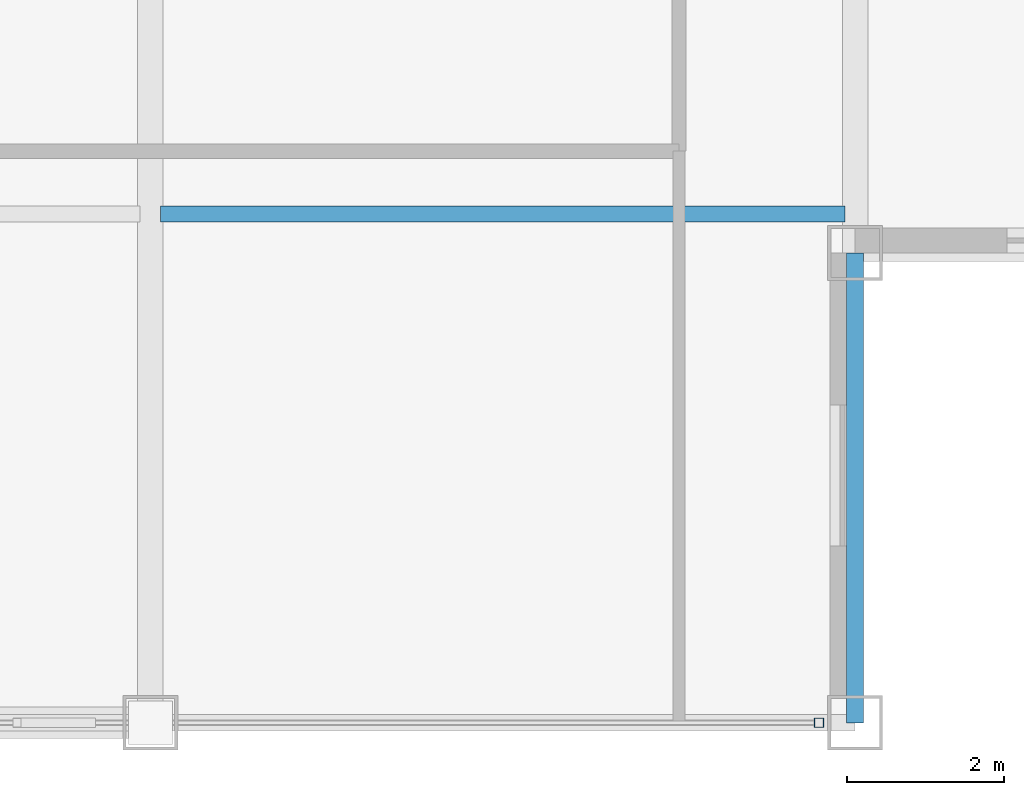
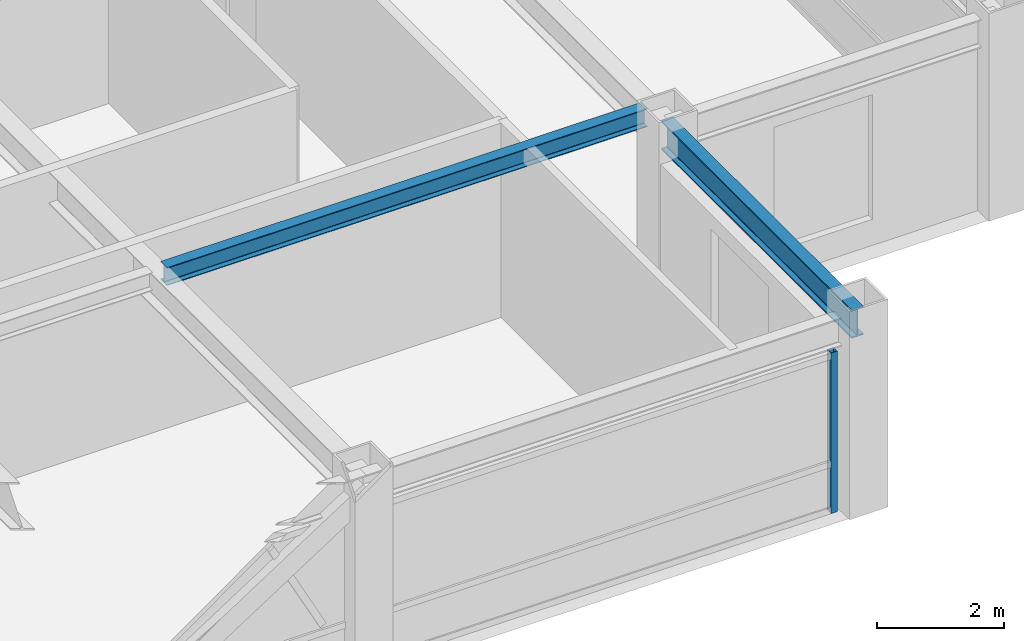
# One storey, part 8 of 29: 2 beams, 1 member, 1 element without a shape of its own.
"""IFC4 building model written with IfcOpenShell, lengths in metres."""

from ifc_helpers import new_model, si_unit, direction, frame, origin, origin_2d, place, context, subcontext, project, spatial, hollow_rectangle, i_section, extrude, source, transform, mapped, material, material_profile, profile_set, type_object, element, aggregate, save


model = new_model("IFC4")

# Units and contexts
model_context = context("Model", 3, precision=1e-05, world=origin(), true_north=direction((0.0, 1.0)))
body_context = subcontext(model_context, "Body", "Model", "MODEL_VIEW")
ifc_project = project(units=[si_unit("LENGTHUNIT", "METRE"), si_unit("AREAUNIT", "SQUARE_METRE"), si_unit("VOLUMEUNIT", "CUBIC_METRE"), si_unit("PLANEANGLEUNIT", "RADIAN"), si_unit("MASSUNIT", "GRAM", prefix="KILO")], contexts=[model_context])

# Site, building, storey
site_placement = place(None, origin())
site = spatial("IfcSite", under=ifc_project, at=site_placement, CompositionType="ELEMENT")
building_placement = place(site_placement, origin())
building = spatial("IfcBuilding", under=site, at=building_placement, Name="Khorayat Bourse Tower", CompositionType="ELEMENT")
storey_placement = place(building_placement, frame((0.0, 0.0, 362.300048828125)))
storey = spatial("IfcBuildingStorey", under=building, at=storey_placement, Name="L86", CompositionType="ELEMENT", Elevation=362.300048828125)

# Beams
ifc_material_1 = material(Name="Steel ASTM A992 Grade 50", Category="steel")
ifc_material_profile_1 = material_profile(ifc_material_1, i_section(OverallWidth=0.214111328125, OverallDepth=0.549072265625, WebThickness=0.0146484375, FlangeThickness=0.023681640625, FilletRadius=0.013916015625, at=origin_2d()), Name="W530X138")
ifc_profile_set_1 = profile_set([ifc_material_profile_1], Name="Steel ASTM A992 Grade 50")
beam_type_1 = type_object("IfcBeamType", Name="BM-SPAN-530", PredefinedType="SPANDREL", material=ifc_profile_set_1)
shared_shape_1 = source(origin(), body_context, "Body", "SweptSolid", [
    extrude(i_section(OverallWidth=0.214111328125, OverallDepth=0.549072265625, WebThickness=0.0146484375, FlangeThickness=0.023681640625, FilletRadius=0.013916015625, at=origin_2d()), origin(), (0.0, 0.0, 1.0), 6.0),
])
beam_1_placement = place(storey_placement, frame((20.0, -26.0, 3.46533203125), z_axis=(0.0, 1.0, 0.0), x_axis=(-1.0, 0.0, 0.0)))
element("IfcBeam", 1, at=beam_1_placement, inside=storey, type_object=beam_type_1, Name="L86 BM-SPAN-530 BM-L86-SPN-030", PredefinedType="SPANDREL", context=body_context, shape_type="MappedRepresentation", body=[
    mapped(shared_shape_1, transform((0.0, 0.0, 0.0), scale=1.0)),
])
ifc_material_profile_2 = material_profile(ifc_material_1, i_section(OverallWidth=0.202880859375, OverallDepth=0.346923828125, WebThickness=0.0078125, FlangeThickness=0.013427734375, FilletRadius=0.010009765625, at=origin_2d()), Name="W360X64")
ifc_profile_set_2 = profile_set([ifc_material_profile_2], Name="Steel ASTM A992 Grade 50")
beam_type_2 = type_object("IfcBeamType", Name="BM-JOIST-360", PredefinedType="JOIST", material=ifc_profile_set_2)
shared_shape_2 = source(origin(), body_context, "Body", "SweptSolid", [
    extrude(i_section(OverallWidth=0.202880859375, OverallDepth=0.346923828125, WebThickness=0.0078125, FlangeThickness=0.013427734375, FilletRadius=0.010009765625, at=origin_2d()), origin(), (0.0, 0.0, 1.0), 8.740234375),
])
beam_2_placement = place(storey_placement, frame((11.1298828125, -19.5, 3.56640625), z_axis=(1.0, 0.0, 0.0), x_axis=(0.0, 1.0, 0.0)))
element("IfcBeam", 2, at=beam_2_placement, inside=storey, type_object=beam_type_2, Name="L86 BM-JOIST-360 BM-L86-JSTX-082", PredefinedType="JOIST", context=body_context, shape_type="MappedRepresentation", body=[
    mapped(shared_shape_2, transform((0.0, 0.0, 0.0), scale=1.0)),
])

# Curtain wall, member
ifc_material_2 = material(Name="Aluminium EN AW-6063 T6", Category="aluminium")
curtain_wall_type = type_object("IfcCurtainWallType", Name="CW-SYS-04", PredefinedType="NOTDEFINED", material=ifc_material_2)
curtain_wall_placement = place(storey_placement, origin())
curtain_wall = element("IfcCurtainWall", 3, at=curtain_wall_placement, inside=storey, type_object=curtain_wall_type, Name="L86 Curtain Wall CW-L86-S1", PredefinedType="NOTDEFINED")
ifc_material_profile_3 = material_profile(ifc_material_2, hollow_rectangle(XDim=0.1201171875, YDim=0.1201171875, WallThickness=0.0048828125, at=origin_2d()), Name="ALU 120x120x5")
ifc_profile_set_3 = profile_set([ifc_material_profile_3], Name="Aluminium EN AW-6063 T6")
member_type = type_object("IfcMemberType", Name="CWM-VERT-120", PredefinedType="MULLION", material=ifc_profile_set_3)
shared_shape_3 = source(origin(), body_context, "Body", "SweptSolid", [
    extrude(hollow_rectangle(XDim=0.1201171875, YDim=0.1201171875, WallThickness=0.0048828125, at=origin_2d()), origin(), (0.0, 0.0, 1.0), 3.08984375),
])
member_placement = place(storey_placement, frame((19.5400390625, -26.0, 0.0), z_axis=(0.0, 0.0, 1.0), x_axis=(0.0, 1.0, 0.0)))
member = element("IfcMember", 4, at=member_placement, type_object=member_type, Name="CW-L86-S1 Vertical Mullion 3", PredefinedType="MULLION", context=body_context, shape_type="MappedRepresentation", body=[
    mapped(shared_shape_3, transform((0.0, 0.0, 0.0), scale=1.0)),
])
aggregate(curtain_wall, [member])

save(model, "model.ifc")
